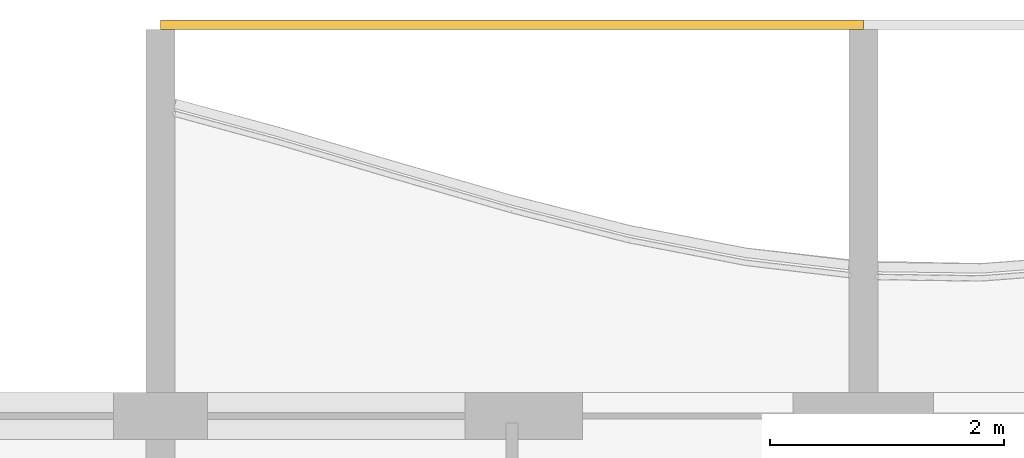
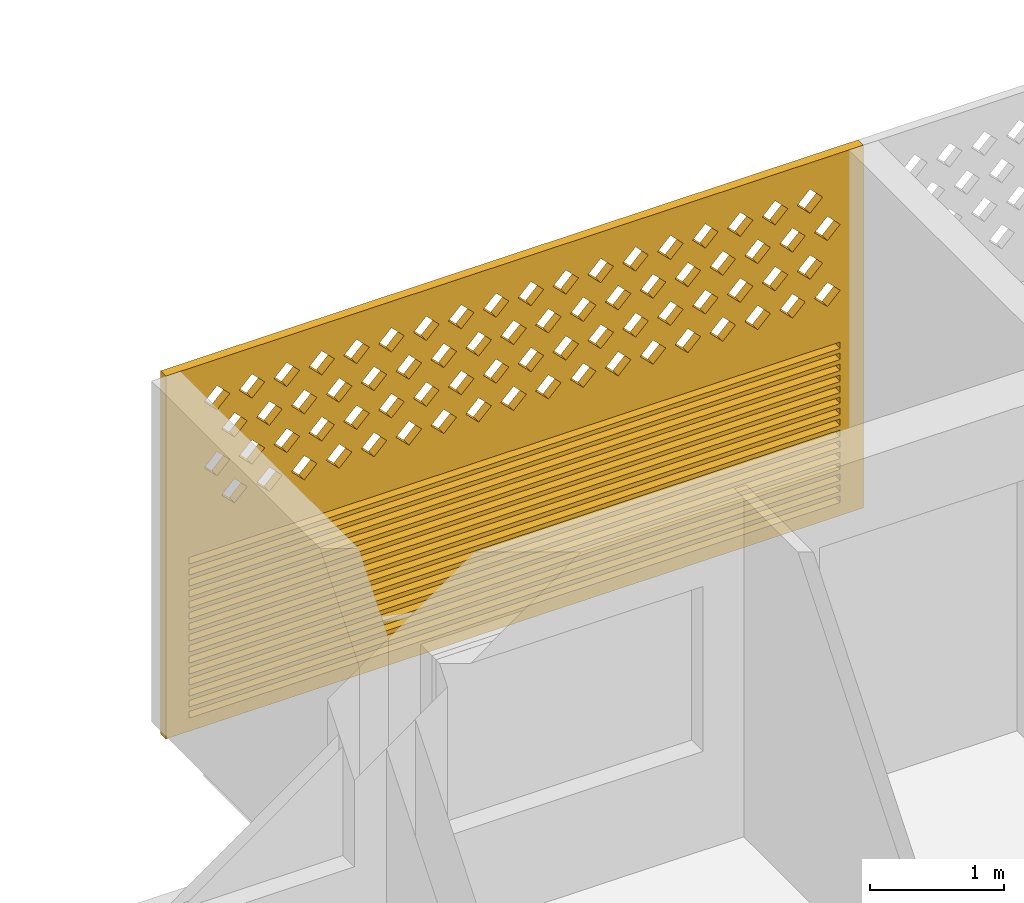
# One storey, part 21 of 27: 1 covering.
"""IFC4 building model written with IfcOpenShell, lengths in metres."""

from ifc_helpers import new_model, si_unit, direction, frame, origin, place, context, subcontext, project, spatial, polyline, outline, extrude, source, transform, mapped, material, material_profile, profile_set, type_object, element, save


model = new_model("IFC4")

# Units and contexts
model_context = context("Model", 3, precision=1e-05, world=origin(), true_north=direction((0.0, 1.0)))
body_context = subcontext(model_context, "Body", "Model", "MODEL_VIEW")
ifc_project = project(units=[si_unit("LENGTHUNIT", "METRE"), si_unit("AREAUNIT", "SQUARE_METRE"), si_unit("VOLUMEUNIT", "CUBIC_METRE"), si_unit("PLANEANGLEUNIT", "RADIAN"), si_unit("MASSUNIT", "GRAM", prefix="KILO")], contexts=[model_context])

# Site, building, storey
site_placement = place(None, origin())
site = spatial("IfcSite", under=ifc_project, at=site_placement, CompositionType="ELEMENT")
building_placement = place(site_placement, origin())
building = spatial("IfcBuilding", under=site, at=building_placement, Name="Poui Terraces", CompositionType="ELEMENT")
storey_placement = place(building_placement, frame((0.0, 0.0, 254.39990234375)))
storey = spatial("IfcBuildingStorey", under=building, at=storey_placement, Name="L71", CompositionType="ELEMENT", Elevation=254.39990234375)

# Covering
ifc_material = material(Name="Terracotta screen", Category="masonry")
ifc_material_profile = material_profile(ifc_material, outline(polyline([(-3.0, -1.64990234375), (3.0, -1.64990234375), (3.0, 1.64990234375), (-3.0, 1.64990234375), (-3.0, -1.64990234375)]), holes=[polyline([(-2.800048828125, 0.39990234375), (-2.68994140625, 0.2900390625), (-2.580078125, 0.39990234375), (-2.68994140625, 0.510009765625), (-2.800048828125, 0.39990234375)]), polyline([(-2.5, 0.39990234375), (-2.389892578125, 0.2900390625), (-2.280029296875, 0.39990234375), (-2.389892578125, 0.510009765625), (-2.5, 0.39990234375)]), polyline([(-2.199951171875, 0.39990234375), (-2.090087890625, 0.2900390625), (-1.97998046875, 0.39990234375), (-2.090087890625, 0.510009765625), (-2.199951171875, 0.39990234375)]), polyline([(-1.89990234375, 0.39990234375), (-1.7900390625, 0.2900390625), (-1.679931640625, 0.39990234375), (-1.7900390625, 0.510009765625), (-1.89990234375, 0.39990234375)]), polyline([(-1.60009765625, 0.39990234375), (-1.489990234375, 0.2900390625), (-1.3798828125, 0.39990234375), (-1.489990234375, 0.510009765625), (-1.60009765625, 0.39990234375)]), polyline([(-1.300048828125, 0.39990234375), (-1.18994140625, 0.2900390625), (-1.080078125, 0.39990234375), (-1.18994140625, 0.510009765625), (-1.300048828125, 0.39990234375)]), polyline([(-1.0, 0.39990234375), (-0.889892578125, 0.2900390625), (-0.780029296875, 0.39990234375), (-0.889892578125, 0.510009765625), (-1.0, 0.39990234375)]), polyline([(-0.699951171875, 0.39990234375), (-0.590087890625, 0.2900390625), (-0.47998046875, 0.39990234375), (-0.590087890625, 0.510009765625), (-0.699951171875, 0.39990234375)]), polyline([(-0.39990234375, 0.39990234375), (-0.2900390625, 0.2900390625), (-0.179931640625, 0.39990234375), (-0.2900390625, 0.510009765625), (-0.39990234375, 0.39990234375)]), polyline([(-0.10009765625, 0.39990234375), (0.010009765625, 0.2900390625), (0.1201171875, 0.39990234375), (0.010009765625, 0.510009765625), (-0.10009765625, 0.39990234375)]), polyline([(0.199951171875, 0.39990234375), (0.31005859375, 0.2900390625), (0.419921875, 0.39990234375), (0.31005859375, 0.510009765625), (0.199951171875, 0.39990234375)]), polyline([(0.5, 0.39990234375), (0.610107421875, 0.2900390625), (0.719970703125, 0.39990234375), (0.610107421875, 0.510009765625), (0.5, 0.39990234375)]), polyline([(0.800048828125, 0.39990234375), (0.909912109375, 0.2900390625), (1.02001953125, 0.39990234375), (0.909912109375, 0.510009765625), (0.800048828125, 0.39990234375)]), polyline([(1.10009765625, 0.39990234375), (1.2099609375, 0.2900390625), (1.320068359375, 0.39990234375), (1.2099609375, 0.510009765625), (1.10009765625, 0.39990234375)]), polyline([(1.39990234375, 0.39990234375), (1.510009765625, 0.2900390625), (1.6201171875, 0.39990234375), (1.510009765625, 0.510009765625), (1.39990234375, 0.39990234375)]), polyline([(1.699951171875, 0.39990234375), (1.81005859375, 0.2900390625), (1.919921875, 0.39990234375), (1.81005859375, 0.510009765625), (1.699951171875, 0.39990234375)]), polyline([(2.0, 0.39990234375), (2.110107421875, 0.2900390625), (2.219970703125, 0.39990234375), (2.110107421875, 0.510009765625), (2.0, 0.39990234375)]), polyline([(2.300048828125, 0.39990234375), (2.409912109375, 0.2900390625), (2.52001953125, 0.39990234375), (2.409912109375, 0.510009765625), (2.300048828125, 0.39990234375)]), polyline([(-2.64990234375, 0.699951171875), (-2.5400390625, 0.590087890625), (-2.429931640625, 0.699951171875), (-2.5400390625, 0.81005859375), (-2.64990234375, 0.699951171875)]), polyline([(-2.35009765625, 0.699951171875), (-2.239990234375, 0.590087890625), (-2.1298828125, 0.699951171875), (-2.239990234375, 0.81005859375), (-2.35009765625, 0.699951171875)]), polyline([(-2.050048828125, 0.699951171875), (-1.93994140625, 0.590087890625), (-1.830078125, 0.699951171875), (-1.93994140625, 0.81005859375), (-2.050048828125, 0.699951171875)]), polyline([(-1.75, 0.699951171875), (-1.639892578125, 0.590087890625), (-1.530029296875, 0.699951171875), (-1.639892578125, 0.81005859375), (-1.75, 0.699951171875)]), polyline([(-1.449951171875, 0.699951171875), (-1.340087890625, 0.590087890625), (-1.22998046875, 0.699951171875), (-1.340087890625, 0.81005859375), (-1.449951171875, 0.699951171875)]), polyline([(-1.14990234375, 0.699951171875), (-1.0400390625, 0.590087890625), (-0.929931640625, 0.699951171875), (-1.0400390625, 0.81005859375), (-1.14990234375, 0.699951171875)]), polyline([(-0.85009765625, 0.699951171875), (-0.739990234375, 0.590087890625), (-0.6298828125, 0.699951171875), (-0.739990234375, 0.81005859375), (-0.85009765625, 0.699951171875)]), polyline([(-0.550048828125, 0.699951171875), (-0.43994140625, 0.590087890625), (-0.330078125, 0.699951171875), (-0.43994140625, 0.81005859375), (-0.550048828125, 0.699951171875)]), polyline([(-0.25, 0.699951171875), (-0.139892578125, 0.590087890625), (-0.030029296875, 0.699951171875), (-0.139892578125, 0.81005859375), (-0.25, 0.699951171875)]), polyline([(0.050048828125, 0.699951171875), (0.159912109375, 0.590087890625), (0.27001953125, 0.699951171875), (0.159912109375, 0.81005859375), (0.050048828125, 0.699951171875)]), polyline([(0.35009765625, 0.699951171875), (0.4599609375, 0.590087890625), (0.570068359375, 0.699951171875), (0.4599609375, 0.81005859375), (0.35009765625, 0.699951171875)]), polyline([(0.64990234375, 0.699951171875), (0.760009765625, 0.590087890625), (0.8701171875, 0.699951171875), (0.760009765625, 0.81005859375), (0.64990234375, 0.699951171875)]), polyline([(0.949951171875, 0.699951171875), (1.06005859375, 0.590087890625), (1.169921875, 0.699951171875), (1.06005859375, 0.81005859375), (0.949951171875, 0.699951171875)]), polyline([(1.25, 0.699951171875), (1.360107421875, 0.590087890625), (1.469970703125, 0.699951171875), (1.360107421875, 0.81005859375), (1.25, 0.699951171875)]), polyline([(1.550048828125, 0.699951171875), (1.659912109375, 0.590087890625), (1.77001953125, 0.699951171875), (1.659912109375, 0.81005859375), (1.550048828125, 0.699951171875)]), polyline([(1.85009765625, 0.699951171875), (1.9599609375, 0.590087890625), (2.070068359375, 0.699951171875), (1.9599609375, 0.81005859375), (1.85009765625, 0.699951171875)]), polyline([(2.14990234375, 0.699951171875), (2.260009765625, 0.590087890625), (2.3701171875, 0.699951171875), (2.260009765625, 0.81005859375), (2.14990234375, 0.699951171875)]), polyline([(2.449951171875, 0.699951171875), (2.56005859375, 0.590087890625), (2.669921875, 0.699951171875), (2.56005859375, 0.81005859375), (2.449951171875, 0.699951171875)]), polyline([(-2.800048828125, 1.0), (-2.68994140625, 0.889892578125), (-2.580078125, 1.0), (-2.68994140625, 1.110107421875), (-2.800048828125, 1.0)]), polyline([(-2.5, 1.0), (-2.389892578125, 0.889892578125), (-2.280029296875, 1.0), (-2.389892578125, 1.110107421875), (-2.5, 1.0)]), polyline([(-2.199951171875, 1.0), (-2.090087890625, 0.889892578125), (-1.97998046875, 1.0), (-2.090087890625, 1.110107421875), (-2.199951171875, 1.0)]), polyline([(-1.89990234375, 1.0), (-1.7900390625, 0.889892578125), (-1.679931640625, 1.0), (-1.7900390625, 1.110107421875), (-1.89990234375, 1.0)]), polyline([(-1.60009765625, 1.0), (-1.489990234375, 0.889892578125), (-1.3798828125, 1.0), (-1.489990234375, 1.110107421875), (-1.60009765625, 1.0)]), polyline([(-1.300048828125, 1.0), (-1.18994140625, 0.889892578125), (-1.080078125, 1.0), (-1.18994140625, 1.110107421875), (-1.300048828125, 1.0)]), polyline([(-1.0, 1.0), (-0.889892578125, 0.889892578125), (-0.780029296875, 1.0), (-0.889892578125, 1.110107421875), (-1.0, 1.0)]), polyline([(-0.699951171875, 1.0), (-0.590087890625, 0.889892578125), (-0.47998046875, 1.0), (-0.590087890625, 1.110107421875), (-0.699951171875, 1.0)]), polyline([(-0.39990234375, 1.0), (-0.2900390625, 0.889892578125), (-0.179931640625, 1.0), (-0.2900390625, 1.110107421875), (-0.39990234375, 1.0)]), polyline([(-0.10009765625, 1.0), (0.010009765625, 0.889892578125), (0.1201171875, 1.0), (0.010009765625, 1.110107421875), (-0.10009765625, 1.0)]), polyline([(0.199951171875, 1.0), (0.31005859375, 0.889892578125), (0.419921875, 1.0), (0.31005859375, 1.110107421875), (0.199951171875, 1.0)]), polyline([(0.5, 1.0), (0.610107421875, 0.889892578125), (0.719970703125, 1.0), (0.610107421875, 1.110107421875), (0.5, 1.0)]), polyline([(0.800048828125, 1.0), (0.909912109375, 0.889892578125), (1.02001953125, 1.0), (0.909912109375, 1.110107421875), (0.800048828125, 1.0)]), polyline([(1.10009765625, 1.0), (1.2099609375, 0.889892578125), (1.320068359375, 1.0), (1.2099609375, 1.110107421875), (1.10009765625, 1.0)]), polyline([(1.39990234375, 1.0), (1.510009765625, 0.889892578125), (1.6201171875, 1.0), (1.510009765625, 1.110107421875), (1.39990234375, 1.0)]), polyline([(1.699951171875, 1.0), (1.81005859375, 0.889892578125), (1.919921875, 1.0), (1.81005859375, 1.110107421875), (1.699951171875, 1.0)]), polyline([(2.0, 1.0), (2.110107421875, 0.889892578125), (2.219970703125, 1.0), (2.110107421875, 1.110107421875), (2.0, 1.0)]), polyline([(2.300048828125, 1.0), (2.409912109375, 0.889892578125), (2.52001953125, 1.0), (2.409912109375, 1.110107421875), (2.300048828125, 1.0)]), polyline([(-2.64990234375, 1.300048828125), (-2.5400390625, 1.18994140625), (-2.429931640625, 1.300048828125), (-2.5400390625, 1.409912109375), (-2.64990234375, 1.300048828125)]), polyline([(-2.35009765625, 1.300048828125), (-2.239990234375, 1.18994140625), (-2.1298828125, 1.300048828125), (-2.239990234375, 1.409912109375), (-2.35009765625, 1.300048828125)]), polyline([(-2.050048828125, 1.300048828125), (-1.93994140625, 1.18994140625), (-1.830078125, 1.300048828125), (-1.93994140625, 1.409912109375), (-2.050048828125, 1.300048828125)]), polyline([(-1.75, 1.300048828125), (-1.639892578125, 1.18994140625), (-1.530029296875, 1.300048828125), (-1.639892578125, 1.409912109375), (-1.75, 1.300048828125)]), polyline([(-1.449951171875, 1.300048828125), (-1.340087890625, 1.18994140625), (-1.22998046875, 1.300048828125), (-1.340087890625, 1.409912109375), (-1.449951171875, 1.300048828125)]), polyline([(-1.14990234375, 1.300048828125), (-1.0400390625, 1.18994140625), (-0.929931640625, 1.300048828125), (-1.0400390625, 1.409912109375), (-1.14990234375, 1.300048828125)]), polyline([(-0.85009765625, 1.300048828125), (-0.739990234375, 1.18994140625), (-0.6298828125, 1.300048828125), (-0.739990234375, 1.409912109375), (-0.85009765625, 1.300048828125)]), polyline([(-0.550048828125, 1.300048828125), (-0.43994140625, 1.18994140625), (-0.330078125, 1.300048828125), (-0.43994140625, 1.409912109375), (-0.550048828125, 1.300048828125)]), polyline([(-0.25, 1.300048828125), (-0.139892578125, 1.18994140625), (-0.030029296875, 1.300048828125), (-0.139892578125, 1.409912109375), (-0.25, 1.300048828125)]), polyline([(0.050048828125, 1.300048828125), (0.159912109375, 1.18994140625), (0.27001953125, 1.300048828125), (0.159912109375, 1.409912109375), (0.050048828125, 1.300048828125)]), polyline([(0.35009765625, 1.300048828125), (0.4599609375, 1.18994140625), (0.570068359375, 1.300048828125), (0.4599609375, 1.409912109375), (0.35009765625, 1.300048828125)]), polyline([(0.64990234375, 1.300048828125), (0.760009765625, 1.18994140625), (0.8701171875, 1.300048828125), (0.760009765625, 1.409912109375), (0.64990234375, 1.300048828125)]), polyline([(0.949951171875, 1.300048828125), (1.06005859375, 1.18994140625), (1.169921875, 1.300048828125), (1.06005859375, 1.409912109375), (0.949951171875, 1.300048828125)]), polyline([(1.25, 1.300048828125), (1.360107421875, 1.18994140625), (1.469970703125, 1.300048828125), (1.360107421875, 1.409912109375), (1.25, 1.300048828125)]), polyline([(1.550048828125, 1.300048828125), (1.659912109375, 1.18994140625), (1.77001953125, 1.300048828125), (1.659912109375, 1.409912109375), (1.550048828125, 1.300048828125)]), polyline([(1.85009765625, 1.300048828125), (1.9599609375, 1.18994140625), (2.070068359375, 1.300048828125), (1.9599609375, 1.409912109375), (1.85009765625, 1.300048828125)]), polyline([(2.14990234375, 1.300048828125), (2.260009765625, 1.18994140625), (2.3701171875, 1.300048828125), (2.260009765625, 1.409912109375), (2.14990234375, 1.300048828125)]), polyline([(2.449951171875, 1.300048828125), (2.56005859375, 1.18994140625), (2.669921875, 1.300048828125), (2.56005859375, 1.409912109375), (2.449951171875, 1.300048828125)]), polyline([(-2.800048828125, -1.530029296875), (2.800048828125, -1.530029296875), (2.800048828125, -1.469970703125), (-2.800048828125, -1.469970703125), (-2.800048828125, -1.530029296875)]), polyline([(-2.800048828125, -1.429931640625), (2.800048828125, -1.429931640625), (2.800048828125, -1.3701171875), (-2.800048828125, -1.3701171875), (-2.800048828125, -1.429931640625)]), polyline([(-2.800048828125, -1.330078125), (2.800048828125, -1.330078125), (2.800048828125, -1.27001953125), (-2.800048828125, -1.27001953125), (-2.800048828125, -1.330078125)]), polyline([(-2.800048828125, -1.22998046875), (2.800048828125, -1.22998046875), (2.800048828125, -1.169921875), (-2.800048828125, -1.169921875), (-2.800048828125, -1.22998046875)]), polyline([(-2.800048828125, -1.1298828125), (2.800048828125, -1.1298828125), (2.800048828125, -1.070068359375), (-2.800048828125, -1.070068359375), (-2.800048828125, -1.1298828125)]), polyline([(-2.800048828125, -1.030029296875), (2.800048828125, -1.030029296875), (2.800048828125, -0.969970703125), (-2.800048828125, -0.969970703125), (-2.800048828125, -1.030029296875)]), polyline([(-2.800048828125, -0.929931640625), (2.800048828125, -0.929931640625), (2.800048828125, -0.8701171875), (-2.800048828125, -0.8701171875), (-2.800048828125, -0.929931640625)]), polyline([(-2.800048828125, -0.830078125), (2.800048828125, -0.830078125), (2.800048828125, -0.77001953125), (-2.800048828125, -0.77001953125), (-2.800048828125, -0.830078125)]), polyline([(-2.800048828125, -0.72998046875), (2.800048828125, -0.72998046875), (2.800048828125, -0.669921875), (-2.800048828125, -0.669921875), (-2.800048828125, -0.72998046875)]), polyline([(-2.800048828125, -0.6298828125), (2.800048828125, -0.6298828125), (2.800048828125, -0.570068359375), (-2.800048828125, -0.570068359375), (-2.800048828125, -0.6298828125)]), polyline([(-2.800048828125, -0.530029296875), (2.800048828125, -0.530029296875), (2.800048828125, -0.469970703125), (-2.800048828125, -0.469970703125), (-2.800048828125, -0.530029296875)]), polyline([(-2.800048828125, -0.429931640625), (2.800048828125, -0.429931640625), (2.800048828125, -0.3701171875), (-2.800048828125, -0.3701171875), (-2.800048828125, -0.429931640625)]), polyline([(-2.800048828125, -0.330078125), (2.800048828125, -0.330078125), (2.800048828125, -0.27001953125), (-2.800048828125, -0.27001953125), (-2.800048828125, -0.330078125)]), polyline([(-2.800048828125, -0.22998046875), (2.800048828125, -0.22998046875), (2.800048828125, -0.169921875), (-2.800048828125, -0.169921875), (-2.800048828125, -0.22998046875)]), polyline([(-2.800048828125, -0.1298828125), (2.800048828125, -0.1298828125), (2.800048828125, -0.070068359375), (-2.800048828125, -0.070068359375), (-2.800048828125, -0.1298828125)])]), Name="TERRACOTTA SCREEN AND JALOUSIE LOUVRE 6000X3300")
ifc_profile_set = profile_set([ifc_material_profile], Name="Terracotta screen")
covering_type = type_object("IfcCoveringType", Name="TERRACOTTA SCREEN AND JALOUSIE LOUVRE 6000X3300", PredefinedType="CLADDING", material=ifc_profile_set)
shared_shape = source(origin(), body_context, "Body", "SweptSolid", [
    extrude(outline(polyline([(-3.0, -1.64990234375), (3.0, -1.64990234375), (3.0, 1.64990234375), (-3.0, 1.64990234375), (-3.0, -1.64990234375)]), holes=[polyline([(-2.800048828125, 0.39990234375), (-2.68994140625, 0.2900390625), (-2.580078125, 0.39990234375), (-2.68994140625, 0.510009765625), (-2.800048828125, 0.39990234375)]), polyline([(-2.5, 0.39990234375), (-2.389892578125, 0.2900390625), (-2.280029296875, 0.39990234375), (-2.389892578125, 0.510009765625), (-2.5, 0.39990234375)]), polyline([(-2.199951171875, 0.39990234375), (-2.090087890625, 0.2900390625), (-1.97998046875, 0.39990234375), (-2.090087890625, 0.510009765625), (-2.199951171875, 0.39990234375)]), polyline([(-1.89990234375, 0.39990234375), (-1.7900390625, 0.2900390625), (-1.679931640625, 0.39990234375), (-1.7900390625, 0.510009765625), (-1.89990234375, 0.39990234375)]), polyline([(-1.60009765625, 0.39990234375), (-1.489990234375, 0.2900390625), (-1.3798828125, 0.39990234375), (-1.489990234375, 0.510009765625), (-1.60009765625, 0.39990234375)]), polyline([(-1.300048828125, 0.39990234375), (-1.18994140625, 0.2900390625), (-1.080078125, 0.39990234375), (-1.18994140625, 0.510009765625), (-1.300048828125, 0.39990234375)]), polyline([(-1.0, 0.39990234375), (-0.889892578125, 0.2900390625), (-0.780029296875, 0.39990234375), (-0.889892578125, 0.510009765625), (-1.0, 0.39990234375)]), polyline([(-0.699951171875, 0.39990234375), (-0.590087890625, 0.2900390625), (-0.47998046875, 0.39990234375), (-0.590087890625, 0.510009765625), (-0.699951171875, 0.39990234375)]), polyline([(-0.39990234375, 0.39990234375), (-0.2900390625, 0.2900390625), (-0.179931640625, 0.39990234375), (-0.2900390625, 0.510009765625), (-0.39990234375, 0.39990234375)]), polyline([(-0.10009765625, 0.39990234375), (0.010009765625, 0.2900390625), (0.1201171875, 0.39990234375), (0.010009765625, 0.510009765625), (-0.10009765625, 0.39990234375)]), polyline([(0.199951171875, 0.39990234375), (0.31005859375, 0.2900390625), (0.419921875, 0.39990234375), (0.31005859375, 0.510009765625), (0.199951171875, 0.39990234375)]), polyline([(0.5, 0.39990234375), (0.610107421875, 0.2900390625), (0.719970703125, 0.39990234375), (0.610107421875, 0.510009765625), (0.5, 0.39990234375)]), polyline([(0.800048828125, 0.39990234375), (0.909912109375, 0.2900390625), (1.02001953125, 0.39990234375), (0.909912109375, 0.510009765625), (0.800048828125, 0.39990234375)]), polyline([(1.10009765625, 0.39990234375), (1.2099609375, 0.2900390625), (1.320068359375, 0.39990234375), (1.2099609375, 0.510009765625), (1.10009765625, 0.39990234375)]), polyline([(1.39990234375, 0.39990234375), (1.510009765625, 0.2900390625), (1.6201171875, 0.39990234375), (1.510009765625, 0.510009765625), (1.39990234375, 0.39990234375)]), polyline([(1.699951171875, 0.39990234375), (1.81005859375, 0.2900390625), (1.919921875, 0.39990234375), (1.81005859375, 0.510009765625), (1.699951171875, 0.39990234375)]), polyline([(2.0, 0.39990234375), (2.110107421875, 0.2900390625), (2.219970703125, 0.39990234375), (2.110107421875, 0.510009765625), (2.0, 0.39990234375)]), polyline([(2.300048828125, 0.39990234375), (2.409912109375, 0.2900390625), (2.52001953125, 0.39990234375), (2.409912109375, 0.510009765625), (2.300048828125, 0.39990234375)]), polyline([(-2.64990234375, 0.699951171875), (-2.5400390625, 0.590087890625), (-2.429931640625, 0.699951171875), (-2.5400390625, 0.81005859375), (-2.64990234375, 0.699951171875)]), polyline([(-2.35009765625, 0.699951171875), (-2.239990234375, 0.590087890625), (-2.1298828125, 0.699951171875), (-2.239990234375, 0.81005859375), (-2.35009765625, 0.699951171875)]), polyline([(-2.050048828125, 0.699951171875), (-1.93994140625, 0.590087890625), (-1.830078125, 0.699951171875), (-1.93994140625, 0.81005859375), (-2.050048828125, 0.699951171875)]), polyline([(-1.75, 0.699951171875), (-1.639892578125, 0.590087890625), (-1.530029296875, 0.699951171875), (-1.639892578125, 0.81005859375), (-1.75, 0.699951171875)]), polyline([(-1.449951171875, 0.699951171875), (-1.340087890625, 0.590087890625), (-1.22998046875, 0.699951171875), (-1.340087890625, 0.81005859375), (-1.449951171875, 0.699951171875)]), polyline([(-1.14990234375, 0.699951171875), (-1.0400390625, 0.590087890625), (-0.929931640625, 0.699951171875), (-1.0400390625, 0.81005859375), (-1.14990234375, 0.699951171875)]), polyline([(-0.85009765625, 0.699951171875), (-0.739990234375, 0.590087890625), (-0.6298828125, 0.699951171875), (-0.739990234375, 0.81005859375), (-0.85009765625, 0.699951171875)]), polyline([(-0.550048828125, 0.699951171875), (-0.43994140625, 0.590087890625), (-0.330078125, 0.699951171875), (-0.43994140625, 0.81005859375), (-0.550048828125, 0.699951171875)]), polyline([(-0.25, 0.699951171875), (-0.139892578125, 0.590087890625), (-0.030029296875, 0.699951171875), (-0.139892578125, 0.81005859375), (-0.25, 0.699951171875)]), polyline([(0.050048828125, 0.699951171875), (0.159912109375, 0.590087890625), (0.27001953125, 0.699951171875), (0.159912109375, 0.81005859375), (0.050048828125, 0.699951171875)]), polyline([(0.35009765625, 0.699951171875), (0.4599609375, 0.590087890625), (0.570068359375, 0.699951171875), (0.4599609375, 0.81005859375), (0.35009765625, 0.699951171875)]), polyline([(0.64990234375, 0.699951171875), (0.760009765625, 0.590087890625), (0.8701171875, 0.699951171875), (0.760009765625, 0.81005859375), (0.64990234375, 0.699951171875)]), polyline([(0.949951171875, 0.699951171875), (1.06005859375, 0.590087890625), (1.169921875, 0.699951171875), (1.06005859375, 0.81005859375), (0.949951171875, 0.699951171875)]), polyline([(1.25, 0.699951171875), (1.360107421875, 0.590087890625), (1.469970703125, 0.699951171875), (1.360107421875, 0.81005859375), (1.25, 0.699951171875)]), polyline([(1.550048828125, 0.699951171875), (1.659912109375, 0.590087890625), (1.77001953125, 0.699951171875), (1.659912109375, 0.81005859375), (1.550048828125, 0.699951171875)]), polyline([(1.85009765625, 0.699951171875), (1.9599609375, 0.590087890625), (2.070068359375, 0.699951171875), (1.9599609375, 0.81005859375), (1.85009765625, 0.699951171875)]), polyline([(2.14990234375, 0.699951171875), (2.260009765625, 0.590087890625), (2.3701171875, 0.699951171875), (2.260009765625, 0.81005859375), (2.14990234375, 0.699951171875)]), polyline([(2.449951171875, 0.699951171875), (2.56005859375, 0.590087890625), (2.669921875, 0.699951171875), (2.56005859375, 0.81005859375), (2.449951171875, 0.699951171875)]), polyline([(-2.800048828125, 1.0), (-2.68994140625, 0.889892578125), (-2.580078125, 1.0), (-2.68994140625, 1.110107421875), (-2.800048828125, 1.0)]), polyline([(-2.5, 1.0), (-2.389892578125, 0.889892578125), (-2.280029296875, 1.0), (-2.389892578125, 1.110107421875), (-2.5, 1.0)]), polyline([(-2.199951171875, 1.0), (-2.090087890625, 0.889892578125), (-1.97998046875, 1.0), (-2.090087890625, 1.110107421875), (-2.199951171875, 1.0)]), polyline([(-1.89990234375, 1.0), (-1.7900390625, 0.889892578125), (-1.679931640625, 1.0), (-1.7900390625, 1.110107421875), (-1.89990234375, 1.0)]), polyline([(-1.60009765625, 1.0), (-1.489990234375, 0.889892578125), (-1.3798828125, 1.0), (-1.489990234375, 1.110107421875), (-1.60009765625, 1.0)]), polyline([(-1.300048828125, 1.0), (-1.18994140625, 0.889892578125), (-1.080078125, 1.0), (-1.18994140625, 1.110107421875), (-1.300048828125, 1.0)]), polyline([(-1.0, 1.0), (-0.889892578125, 0.889892578125), (-0.780029296875, 1.0), (-0.889892578125, 1.110107421875), (-1.0, 1.0)]), polyline([(-0.699951171875, 1.0), (-0.590087890625, 0.889892578125), (-0.47998046875, 1.0), (-0.590087890625, 1.110107421875), (-0.699951171875, 1.0)]), polyline([(-0.39990234375, 1.0), (-0.2900390625, 0.889892578125), (-0.179931640625, 1.0), (-0.2900390625, 1.110107421875), (-0.39990234375, 1.0)]), polyline([(-0.10009765625, 1.0), (0.010009765625, 0.889892578125), (0.1201171875, 1.0), (0.010009765625, 1.110107421875), (-0.10009765625, 1.0)]), polyline([(0.199951171875, 1.0), (0.31005859375, 0.889892578125), (0.419921875, 1.0), (0.31005859375, 1.110107421875), (0.199951171875, 1.0)]), polyline([(0.5, 1.0), (0.610107421875, 0.889892578125), (0.719970703125, 1.0), (0.610107421875, 1.110107421875), (0.5, 1.0)]), polyline([(0.800048828125, 1.0), (0.909912109375, 0.889892578125), (1.02001953125, 1.0), (0.909912109375, 1.110107421875), (0.800048828125, 1.0)]), polyline([(1.10009765625, 1.0), (1.2099609375, 0.889892578125), (1.320068359375, 1.0), (1.2099609375, 1.110107421875), (1.10009765625, 1.0)]), polyline([(1.39990234375, 1.0), (1.510009765625, 0.889892578125), (1.6201171875, 1.0), (1.510009765625, 1.110107421875), (1.39990234375, 1.0)]), polyline([(1.699951171875, 1.0), (1.81005859375, 0.889892578125), (1.919921875, 1.0), (1.81005859375, 1.110107421875), (1.699951171875, 1.0)]), polyline([(2.0, 1.0), (2.110107421875, 0.889892578125), (2.219970703125, 1.0), (2.110107421875, 1.110107421875), (2.0, 1.0)]), polyline([(2.300048828125, 1.0), (2.409912109375, 0.889892578125), (2.52001953125, 1.0), (2.409912109375, 1.110107421875), (2.300048828125, 1.0)]), polyline([(-2.64990234375, 1.300048828125), (-2.5400390625, 1.18994140625), (-2.429931640625, 1.300048828125), (-2.5400390625, 1.409912109375), (-2.64990234375, 1.300048828125)]), polyline([(-2.35009765625, 1.300048828125), (-2.239990234375, 1.18994140625), (-2.1298828125, 1.300048828125), (-2.239990234375, 1.409912109375), (-2.35009765625, 1.300048828125)]), polyline([(-2.050048828125, 1.300048828125), (-1.93994140625, 1.18994140625), (-1.830078125, 1.300048828125), (-1.93994140625, 1.409912109375), (-2.050048828125, 1.300048828125)]), polyline([(-1.75, 1.300048828125), (-1.639892578125, 1.18994140625), (-1.530029296875, 1.300048828125), (-1.639892578125, 1.409912109375), (-1.75, 1.300048828125)]), polyline([(-1.449951171875, 1.300048828125), (-1.340087890625, 1.18994140625), (-1.22998046875, 1.300048828125), (-1.340087890625, 1.409912109375), (-1.449951171875, 1.300048828125)]), polyline([(-1.14990234375, 1.300048828125), (-1.0400390625, 1.18994140625), (-0.929931640625, 1.300048828125), (-1.0400390625, 1.409912109375), (-1.14990234375, 1.300048828125)]), polyline([(-0.85009765625, 1.300048828125), (-0.739990234375, 1.18994140625), (-0.6298828125, 1.300048828125), (-0.739990234375, 1.409912109375), (-0.85009765625, 1.300048828125)]), polyline([(-0.550048828125, 1.300048828125), (-0.43994140625, 1.18994140625), (-0.330078125, 1.300048828125), (-0.43994140625, 1.409912109375), (-0.550048828125, 1.300048828125)]), polyline([(-0.25, 1.300048828125), (-0.139892578125, 1.18994140625), (-0.030029296875, 1.300048828125), (-0.139892578125, 1.409912109375), (-0.25, 1.300048828125)]), polyline([(0.050048828125, 1.300048828125), (0.159912109375, 1.18994140625), (0.27001953125, 1.300048828125), (0.159912109375, 1.409912109375), (0.050048828125, 1.300048828125)]), polyline([(0.35009765625, 1.300048828125), (0.4599609375, 1.18994140625), (0.570068359375, 1.300048828125), (0.4599609375, 1.409912109375), (0.35009765625, 1.300048828125)]), polyline([(0.64990234375, 1.300048828125), (0.760009765625, 1.18994140625), (0.8701171875, 1.300048828125), (0.760009765625, 1.409912109375), (0.64990234375, 1.300048828125)]), polyline([(0.949951171875, 1.300048828125), (1.06005859375, 1.18994140625), (1.169921875, 1.300048828125), (1.06005859375, 1.409912109375), (0.949951171875, 1.300048828125)]), polyline([(1.25, 1.300048828125), (1.360107421875, 1.18994140625), (1.469970703125, 1.300048828125), (1.360107421875, 1.409912109375), (1.25, 1.300048828125)]), polyline([(1.550048828125, 1.300048828125), (1.659912109375, 1.18994140625), (1.77001953125, 1.300048828125), (1.659912109375, 1.409912109375), (1.550048828125, 1.300048828125)]), polyline([(1.85009765625, 1.300048828125), (1.9599609375, 1.18994140625), (2.070068359375, 1.300048828125), (1.9599609375, 1.409912109375), (1.85009765625, 1.300048828125)]), polyline([(2.14990234375, 1.300048828125), (2.260009765625, 1.18994140625), (2.3701171875, 1.300048828125), (2.260009765625, 1.409912109375), (2.14990234375, 1.300048828125)]), polyline([(2.449951171875, 1.300048828125), (2.56005859375, 1.18994140625), (2.669921875, 1.300048828125), (2.56005859375, 1.409912109375), (2.449951171875, 1.300048828125)]), polyline([(-2.800048828125, -1.530029296875), (2.800048828125, -1.530029296875), (2.800048828125, -1.469970703125), (-2.800048828125, -1.469970703125), (-2.800048828125, -1.530029296875)]), polyline([(-2.800048828125, -1.429931640625), (2.800048828125, -1.429931640625), (2.800048828125, -1.3701171875), (-2.800048828125, -1.3701171875), (-2.800048828125, -1.429931640625)]), polyline([(-2.800048828125, -1.330078125), (2.800048828125, -1.330078125), (2.800048828125, -1.27001953125), (-2.800048828125, -1.27001953125), (-2.800048828125, -1.330078125)]), polyline([(-2.800048828125, -1.22998046875), (2.800048828125, -1.22998046875), (2.800048828125, -1.169921875), (-2.800048828125, -1.169921875), (-2.800048828125, -1.22998046875)]), polyline([(-2.800048828125, -1.1298828125), (2.800048828125, -1.1298828125), (2.800048828125, -1.070068359375), (-2.800048828125, -1.070068359375), (-2.800048828125, -1.1298828125)]), polyline([(-2.800048828125, -1.030029296875), (2.800048828125, -1.030029296875), (2.800048828125, -0.969970703125), (-2.800048828125, -0.969970703125), (-2.800048828125, -1.030029296875)]), polyline([(-2.800048828125, -0.929931640625), (2.800048828125, -0.929931640625), (2.800048828125, -0.8701171875), (-2.800048828125, -0.8701171875), (-2.800048828125, -0.929931640625)]), polyline([(-2.800048828125, -0.830078125), (2.800048828125, -0.830078125), (2.800048828125, -0.77001953125), (-2.800048828125, -0.77001953125), (-2.800048828125, -0.830078125)]), polyline([(-2.800048828125, -0.72998046875), (2.800048828125, -0.72998046875), (2.800048828125, -0.669921875), (-2.800048828125, -0.669921875), (-2.800048828125, -0.72998046875)]), polyline([(-2.800048828125, -0.6298828125), (2.800048828125, -0.6298828125), (2.800048828125, -0.570068359375), (-2.800048828125, -0.570068359375), (-2.800048828125, -0.6298828125)]), polyline([(-2.800048828125, -0.530029296875), (2.800048828125, -0.530029296875), (2.800048828125, -0.469970703125), (-2.800048828125, -0.469970703125), (-2.800048828125, -0.530029296875)]), polyline([(-2.800048828125, -0.429931640625), (2.800048828125, -0.429931640625), (2.800048828125, -0.3701171875), (-2.800048828125, -0.3701171875), (-2.800048828125, -0.429931640625)]), polyline([(-2.800048828125, -0.330078125), (2.800048828125, -0.330078125), (2.800048828125, -0.27001953125), (-2.800048828125, -0.27001953125), (-2.800048828125, -0.330078125)]), polyline([(-2.800048828125, -0.22998046875), (2.800048828125, -0.22998046875), (2.800048828125, -0.169921875), (-2.800048828125, -0.169921875), (-2.800048828125, -0.22998046875)]), polyline([(-2.800048828125, -0.1298828125), (2.800048828125, -0.1298828125), (2.800048828125, -0.070068359375), (-2.800048828125, -0.070068359375), (-2.800048828125, -0.1298828125)])]), origin(), (0.0, 0.0, 1.0), 0.080078125),
])
covering_placement = place(storey_placement, frame((51.0, 44.5, 1.4501953125), z_axis=(0.0, 1.0, 0.0), x_axis=(-1.0, 0.0, 0.0)))
element("IfcCovering", 1, at=covering_placement, inside=storey, type_object=covering_type, Name="SOLAR SCREEN AND JALOUSIE LOUVRE", PredefinedType="CLADDING", context=body_context, shape_type="MappedRepresentation", body=[
    mapped(shared_shape, transform((0.0, 0.0, 0.0))),
])

save(model, "model.ifc")
